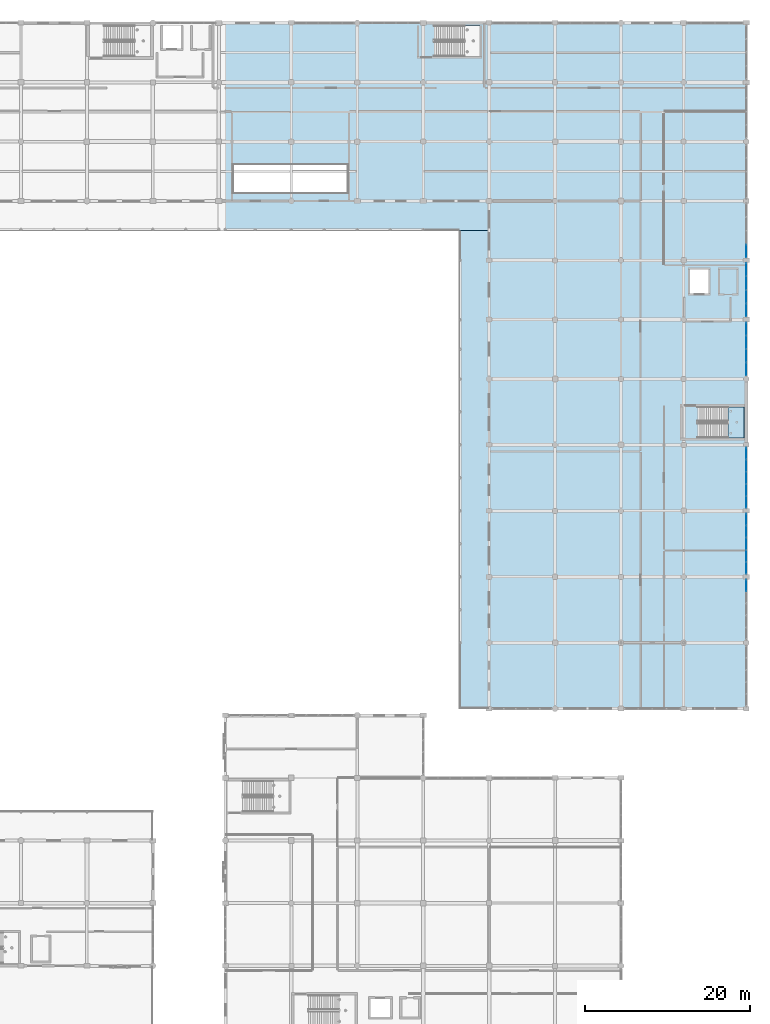
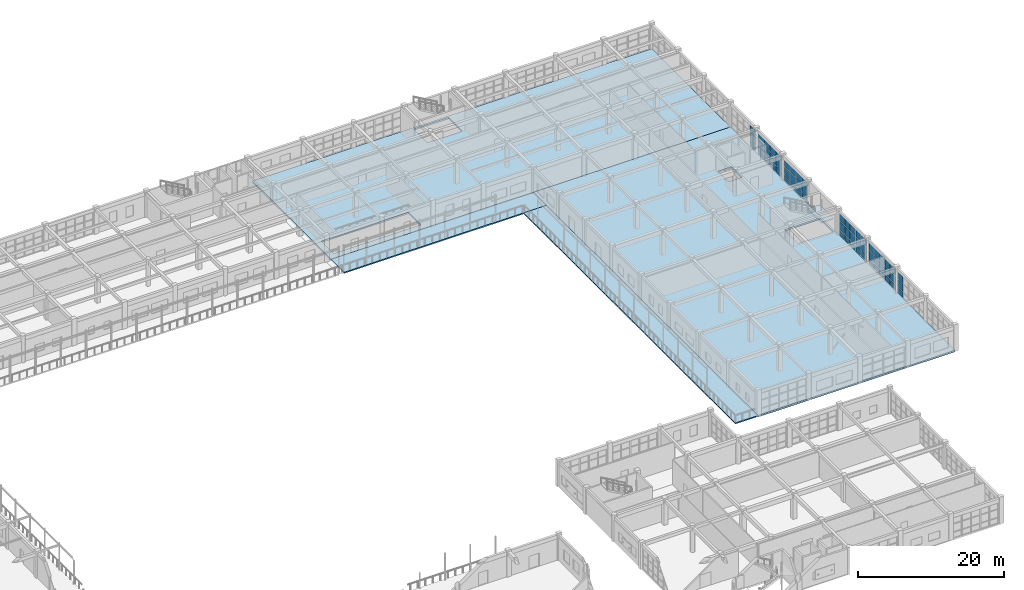
# One storey, part 119 of 160: 60 plates, 5 slabs, 7 elements without a shape of their own.
"""IFC4 building model written with IfcOpenShell, lengths in metres."""

import ifcopenshell
import ifcopenshell.guid

model = None  # the IFC model being written
_history = None  # IfcOwnerHistory: only IFC2X3 demands one
_inside = {}  # id of a spatial element -> (the spatial element, [elements in it])
_under = {}  # id of a project, library or spatial element -> (it, [spatial elements below it])
_declared = {}  # id of a project -> (the project, [libraries it declares])
_typed = {}  # id of a type object -> (the type object, [elements of that type])
_made_of = {}  # id of a material, layer set ... -> (it, [elements and type objects made of it])


def new_model(schema):
    """Start an empty IFC model of exactly this schema.

    Asked for "IFC4X3", IfcOpenShell would pick the latest addendum, in which some entities
    have other attributes; the version numbers below select the first issue.
    IFC2X3 requires an IfcOwnerHistory on every rooted entity: one is made here for all.
    """
    global model, _history
    if schema == "IFC4X3":
        model = ifcopenshell.file(schema_version=(4, 3, 0, 0))
    else:
        model = ifcopenshell.file(schema=schema)
    _inside.clear()
    _under.clear()
    _declared.clear()
    _typed.clear()
    _made_of.clear()
    _history = None
    if model.schema == "IFC2X3":
        org = make("IfcOrganization", Name="unknown")
        user = make(
            "IfcPersonAndOrganization",
            ThePerson=make("IfcPerson", FamilyName="unknown"),
            TheOrganization=org,
        )
        app = make(
            "IfcApplication",
            ApplicationDeveloper=org,
            Version="unknown",
            ApplicationFullName="unknown",
            ApplicationIdentifier="unknown",
        )
        _history = make(
            "IfcOwnerHistory",
            OwningUser=user,
            OwningApplication=app,
            ChangeAction="ADDED",
            CreationDate=0,
        )
    return model


def make(cls, **values):
    """One entity of the class cls with the attributes given. An attribute that is None is left unset."""
    return model.create_entity(
        cls, **{name: value for name, value in values.items() if value is not None}
    )


def rooted(cls, **values):
    """An entity with a GlobalId (a new one), such as an element, a storey or a relation."""
    return make(cls, GlobalId=ifcopenshell.guid.new(), OwnerHistory=_history, **values)


def si_unit(unit_type, name, prefix=None):
    """IfcSIUnit, for example si_unit("LENGTHUNIT", "METRE", prefix="MILLI")."""
    return make("IfcSIUnit", UnitType=unit_type, Prefix=prefix, Name=name)


def assignment(units):
    """IfcUnitAssignment: the units of a project."""
    return None if units is None else make("IfcUnitAssignment", Units=units)


def point(xyz):
    """IfcCartesianPoint."""
    return None if xyz is None else make("IfcCartesianPoint", Coordinates=xyz)


def direction(xyz):
    """IfcDirection."""
    return None if xyz is None else make("IfcDirection", DirectionRatios=xyz)


def frame(location, z_axis=None, x_axis=None):
    """IfcAxis2Placement3D, a coordinate frame: its origin and axes. An axis left out is left unset."""
    return make(
        "IfcAxis2Placement3D",
        Location=point(location),
        Axis=direction(z_axis),
        RefDirection=direction(x_axis),
    )


def frame_2d(location, x_axis=None):
    """IfcAxis2Placement2D, a coordinate frame in the plane: its origin and x axis."""
    return make(
        "IfcAxis2Placement2D", Location=point(location), RefDirection=direction(x_axis)
    )


def origin():
    """The frame at (0, 0, 0) with its axes left unset."""
    return frame((0.0, 0.0, 0.0))


def origin_2d():
    """The frame at (0, 0) in the plane with its x axis left unset."""
    return frame_2d((0.0, 0.0))


def place(relative_to, where):
    """IfcLocalPlacement: puts the frame where relative to a parent placement (None: the world)."""
    return make(
        "IfcLocalPlacement", PlacementRelTo=relative_to, RelativePlacement=where
    )


def context(
    kind, dimensions, precision=None, world=None, true_north=None, identifier=None
):
    """IfcGeometricRepresentationContext, for example the 3D "Model" context."""
    return make(
        "IfcGeometricRepresentationContext",
        ContextIdentifier=identifier,
        ContextType=kind,
        CoordinateSpaceDimension=dimensions,
        Precision=precision,
        WorldCoordinateSystem=world,
        TrueNorth=true_north,
    )


def subcontext(parent, identifier, kind, view, scale=None):
    """IfcGeometricRepresentationSubContext, for example "Body" below "Model"."""
    return make(
        "IfcGeometricRepresentationSubContext",
        ContextIdentifier=identifier,
        ContextType=kind,
        ParentContext=parent,
        TargetScale=scale,
        TargetView=view,
    )


def project(units=None, contexts=None):
    """IfcProject with its units and contexts."""
    return rooted(
        "IfcProject",
        Name="project",
        RepresentationContexts=contexts,
        UnitsInContext=assignment(units),
    )


def spatial(cls, under=None, at=None, **own):
    """A site, building, storey or space (cls), placed at a placement, below another one or the project."""
    s = rooted(cls, ObjectPlacement=at, **own)
    if under is not None:
        _under.setdefault(under.id(), (under, []))[1].append(s)
    return s


def polyline(points):
    """IfcPolyline through the points."""
    return make("IfcPolyline", Points=[point(p) for p in points])


def profile(cls, at=None, kind="AREA", **sizes):
    """A parametric profile (cls). Its sizes go by their IFC names, for example OverallWidth=200.0."""
    return make(cls, ProfileType=kind, Position=at, **sizes)


def rectangle(**sizes):
    """IfcRectangleProfileDef."""
    return profile("IfcRectangleProfileDef", **sizes)


def outline(outer, holes=None, kind="AREA"):
    """IfcArbitraryClosedProfileDef: a profile drawn as a closed curve; with holes, ...WithVoids."""
    if holes is None:
        return make("IfcArbitraryClosedProfileDef", ProfileType=kind, OuterCurve=outer)
    return make(
        "IfcArbitraryProfileDefWithVoids",
        ProfileType=kind,
        OuterCurve=outer,
        InnerCurves=holes,
    )


def extrude(swept, where, along, depth):
    """IfcExtrudedAreaSolid: the profile swept, set in the frame where, extruded along a direction by depth."""
    return make(
        "IfcExtrudedAreaSolid",
        SweptArea=swept,
        Position=where,
        ExtrudedDirection=direction(along),
        Depth=depth,
    )


def shape(context_of_items, identifier, shape_type, items):
    """IfcShapeRepresentation: the items that make up one representation, for example the "Body"."""
    return make(
        "IfcShapeRepresentation",
        ContextOfItems=context_of_items,
        RepresentationIdentifier=identifier,
        RepresentationType=shape_type,
        Items=items,
    )


def material(Name=None, Category=None):
    """IfcMaterial."""
    return make("IfcMaterial", Name=Name, Category=Category)


def layer(
    of_material, thickness, ventilated=None, Name=None, Category=None, Priority=None
):
    """IfcMaterialLayer: one layer of a wall or slab, of a material (None: an air gap)."""
    return make(
        "IfcMaterialLayer",
        Material=of_material,
        LayerThickness=thickness,
        IsVentilated=ventilated,
        Name=Name,
        Category=Category,
        Priority=Priority,
    )


def layer_set(layers, Name=None):
    """IfcMaterialLayerSet."""
    return make("IfcMaterialLayerSet", MaterialLayers=layers, LayerSetName=Name)


def made_of(thing, what):
    """Note that an element or type object is made of a material, layer set ...; save() writes the relation."""
    if what is not None:
        _made_of.setdefault(what.id(), (what, []))[1].append(thing)
    return thing


def type_object(cls, material=None, **own):
    """A type object (cls), such as IfcWallType, which elements share."""
    return made_of(rooted(cls, **own), material)


def element(
    cls,
    number,
    at=None,
    inside=None,
    cuts=None,
    type_object=None,
    material=None,
    context=None,
    identifier="Body",
    shape_type=None,
    held_by="IfcProductDefinitionShape",
    body=None,
    shapes=None,
    **own,
):
    """One element of the class cls, such as IfcWall. Its Tag is "e" and its number.

    at: its placement. inside: the storey or other place that contains it. cuts: it is an
    opening in that element (IfcRelVoidsElement). A single representation is given by context,
    identifier, shape_type and body (its items); several are given by shapes. held_by: the class
    of the entity that holds the representations. save() writes the other relations.
    """
    e = rooted(cls, Tag="e%d" % number, ObjectPlacement=at, **own)
    if body is not None:
        shapes = [shape(context, identifier, shape_type, body)]
    if shapes is not None:
        e.Representation = make(held_by, Representations=shapes)
    if inside is not None:
        _inside.setdefault(inside.id(), (inside, []))[1].append(e)
    if cuts is not None:
        rooted(
            "IfcRelVoidsElement", RelatingBuildingElement=cuts, RelatedOpeningElement=e
        )
    if type_object is not None:
        _typed.setdefault(type_object.id(), (type_object, []))[1].append(e)
    return made_of(e, material)


def aggregate(whole, parts):
    """IfcRelAggregates: a whole, such as a stair, and the parts it consists of."""
    return rooted("IfcRelAggregates", RelatingObject=whole, RelatedObjects=parts)


def save(model, path):
    """Write the relations noted so far, then the file.

    IfcRelAggregates (storeys below a building ...), IfcRelContainedInSpatialStructure (elements
    in a storey), IfcRelDefinesByType, IfcRelAssociatesMaterial and IfcRelDeclares: one each for
    every whole, place, type object, material and project.
    """
    for whole, parts in _under.values():
        aggregate(whole, parts)
    for where, things in _inside.values():
        rooted(
            "IfcRelContainedInSpatialStructure",
            RelatedElements=things,
            RelatingStructure=where,
        )
    for kind, things in _typed.values():
        rooted("IfcRelDefinesByType", RelatedObjects=things, RelatingType=kind)
    for what, things in _made_of.values():
        rooted("IfcRelAssociatesMaterial", RelatedObjects=things, RelatingMaterial=what)
    for by, libraries in _declared.values():
        rooted("IfcRelDeclares", RelatingContext=by, RelatedDefinitions=libraries)
    model.write(path)


model = new_model("IFC4")

# Units and contexts
model_context = context("Model", 3, precision=1e-05, world=origin(), true_north=direction((0.0, 1.0)))
body_context = subcontext(model_context, "Body", "Model", "MODEL_VIEW")
ifc_project = project(units=[si_unit("LENGTHUNIT", "METRE"), si_unit("AREAUNIT", "SQUARE_METRE"), si_unit("VOLUMEUNIT", "CUBIC_METRE"), si_unit("PLANEANGLEUNIT", "RADIAN"), si_unit("MASSUNIT", "GRAM", prefix="KILO")], contexts=[model_context])

# Site, building, storey
site_placement = place(None, origin())
site = spatial("IfcSite", under=ifc_project, at=site_placement, CompositionType="ELEMENT")
building_placement = place(site_placement, origin())
building = spatial("IfcBuilding", under=site, at=building_placement, Name="Kharva Crest Polytechnic", CompositionType="ELEMENT")
storey_placement = place(building_placement, frame((0.0, 0.0, 4.5)))
storey = spatial("IfcBuildingStorey", under=building, at=storey_placement, Name="L01", CompositionType="ELEMENT", Elevation=4.5)

# Curtain wall, plates
ifc_material_1 = material(Name="Tempered insulated glass", Category="glass")
curtain_wall_type = type_object("IfcCurtainWallType", Name="CW-SYS-COURT", PredefinedType="USERDEFINED", material=ifc_material_1)
curtain_wall_1_placement = place(storey_placement, origin())
curtain_wall_1 = element("IfcCurtainWall", 1, at=curtain_wall_1_placement, inside=storey, type_object=curtain_wall_type, Name="L01 Glazed Curtain Wall CW-059", ObjectType="CURTAIN WALL", PredefinedType="USERDEFINED")
ifc_layer_1 = layer(ifc_material_1, 0.02392578125, Name="Tempered insulated glass")
ifc_layer_set_1 = layer_set([ifc_layer_1], Name="Tempered insulated glass")
plate_type = type_object("IfcPlateType", Name="CWP-GLZ-24", PredefinedType="CURTAIN_PANEL", material=ifc_layer_set_1)
plate_1_placement = place(storey_placement, frame((184.0, 53.741943359375, 0.119873046875), z_axis=(0.0, 0.0, 1.0), x_axis=(0.0, 1.0, 0.0)))
plate_1 = element("IfcPlate", 2, at=plate_1_placement, type_object=plate_type, Name="CW-059 panel 5.1", PredefinedType="CURTAIN_PANEL", context=body_context, shape_type="SweptSolid", body=[
    extrude(rectangle(XDim=1.345947265625, YDim=0.02392578125, at=origin_2d()), origin(), (0.0, 0.0, 1.0), 0.8701171875),
])
plate_2_placement = place(storey_placement, frame((184.0, 53.741943359375, 1.10986328125), z_axis=(0.0, 0.0, 1.0), x_axis=(0.0, 1.0, 0.0)))
plate_2 = element("IfcPlate", 3, at=plate_2_placement, type_object=plate_type, Name="CW-059 panel 5.2", PredefinedType="CURTAIN_PANEL", context=body_context, shape_type="SweptSolid", body=[
    extrude(rectangle(XDim=1.345947265625, YDim=0.02392578125, at=origin_2d()), origin(), (0.0, 0.0, 1.0), 1.280029296875),
])
plate_3_placement = place(storey_placement, frame((184.0, 53.741943359375, 2.509765625), z_axis=(0.0, 0.0, 1.0), x_axis=(0.0, 1.0, 0.0)))
plate_3 = element("IfcPlate", 4, at=plate_3_placement, type_object=plate_type, Name="CW-059 panel 5.3", PredefinedType="CURTAIN_PANEL", context=body_context, shape_type="SweptSolid", body=[
    extrude(rectangle(XDim=1.345947265625, YDim=0.02392578125, at=origin_2d()), origin(), (0.0, 0.0, 1.0), 1.070068359375),
])
aggregate(curtain_wall_1, [plate_1, plate_2, plate_3])

curtain_wall_2_placement = place(storey_placement, origin())
curtain_wall_2 = element("IfcCurtainWall", 5, at=curtain_wall_2_placement, inside=storey, type_object=curtain_wall_type, Name="L01 Glazed Curtain Wall CW-060", ObjectType="CURTAIN WALL", PredefinedType="USERDEFINED")
plate_4_placement = place(storey_placement, frame((184.0, 55.866455078125, 0.119873046875), z_axis=(0.0, 0.0, 1.0), x_axis=(0.0, 1.0, 0.0)))
plate_4 = element("IfcPlate", 6, at=plate_4_placement, type_object=plate_type, Name="CW-060 panel 1.1", PredefinedType="CURTAIN_PANEL", context=body_context, shape_type="SweptSolid", body=[
    extrude(rectangle(XDim=1.363037109375, YDim=0.02392578125, at=origin_2d()), origin(), (0.0, 0.0, 1.0), 0.8701171875),
])
plate_5_placement = place(storey_placement, frame((184.0, 55.866455078125, 1.10986328125), z_axis=(0.0, 0.0, 1.0), x_axis=(0.0, 1.0, 0.0)))
plate_5 = element("IfcPlate", 7, at=plate_5_placement, type_object=plate_type, Name="CW-060 panel 1.2", PredefinedType="CURTAIN_PANEL", context=body_context, shape_type="SweptSolid", body=[
    extrude(rectangle(XDim=1.363037109375, YDim=0.02392578125, at=origin_2d()), origin(), (0.0, 0.0, 1.0), 1.280029296875),
])
plate_6_placement = place(storey_placement, frame((184.0, 55.866455078125, 2.510009765625), z_axis=(0.0, 0.0, 1.0), x_axis=(0.0, 1.0, 0.0)))
plate_6 = element("IfcPlate", 8, at=plate_6_placement, type_object=plate_type, Name="CW-060 panel 1.3", PredefinedType="CURTAIN_PANEL", context=body_context, shape_type="SweptSolid", body=[
    extrude(rectangle(XDim=1.363037109375, YDim=0.02392578125, at=origin_2d()), origin(), (0.0, 0.0, 1.0), 1.1298828125),
])
plate_7_placement = place(storey_placement, frame((184.0, 57.32958984375, 0.119873046875), z_axis=(0.0, 0.0, 1.0), x_axis=(0.0, 1.0, 0.0)))
plate_7 = element("IfcPlate", 9, at=plate_7_placement, type_object=plate_type, Name="CW-060 panel 2.1", PredefinedType="CURTAIN_PANEL", context=body_context, shape_type="SweptSolid", body=[
    extrude(rectangle(XDim=1.403076171875, YDim=0.02392578125, at=origin_2d()), origin(), (0.0, 0.0, 1.0), 0.8701171875),
])
plate_8_placement = place(storey_placement, frame((184.0, 57.32958984375, 1.10986328125), z_axis=(0.0, 0.0, 1.0), x_axis=(0.0, 1.0, 0.0)))
plate_8 = element("IfcPlate", 10, at=plate_8_placement, type_object=plate_type, Name="CW-060 panel 2.2", PredefinedType="CURTAIN_PANEL", context=body_context, shape_type="SweptSolid", body=[
    extrude(rectangle(XDim=1.403076171875, YDim=0.02392578125, at=origin_2d()), origin(), (0.0, 0.0, 1.0), 1.280029296875),
])
plate_9_placement = place(storey_placement, frame((184.0, 57.32958984375, 2.510009765625), z_axis=(0.0, 0.0, 1.0), x_axis=(0.0, 1.0, 0.0)))
plate_9 = element("IfcPlate", 11, at=plate_9_placement, type_object=plate_type, Name="CW-060 panel 2.3", PredefinedType="CURTAIN_PANEL", context=body_context, shape_type="SweptSolid", body=[
    extrude(rectangle(XDim=1.403076171875, YDim=0.02392578125, at=origin_2d()), origin(), (0.0, 0.0, 1.0), 1.1298828125),
])
plate_10_placement = place(storey_placement, frame((184.0, 58.8125, 0.119873046875), z_axis=(0.0, 0.0, 1.0), x_axis=(0.0, 1.0, 0.0)))
plate_10 = element("IfcPlate", 12, at=plate_10_placement, type_object=plate_type, Name="CW-060 panel 3.1", PredefinedType="CURTAIN_PANEL", context=body_context, shape_type="SweptSolid", body=[
    extrude(rectangle(XDim=1.403076171875, YDim=0.02392578125, at=origin_2d()), origin(), (0.0, 0.0, 1.0), 0.8701171875),
])
plate_11_placement = place(storey_placement, frame((184.0, 58.8125, 1.10986328125), z_axis=(0.0, 0.0, 1.0), x_axis=(0.0, 1.0, 0.0)))
plate_11 = element("IfcPlate", 13, at=plate_11_placement, type_object=plate_type, Name="CW-060 panel 3.2", PredefinedType="CURTAIN_PANEL", context=body_context, shape_type="SweptSolid", body=[
    extrude(rectangle(XDim=1.403076171875, YDim=0.02392578125, at=origin_2d()), origin(), (0.0, 0.0, 1.0), 1.280029296875),
])
plate_12_placement = place(storey_placement, frame((184.0, 58.8125, 2.510009765625), z_axis=(0.0, 0.0, 1.0), x_axis=(0.0, 1.0, 0.0)))
plate_12 = element("IfcPlate", 14, at=plate_12_placement, type_object=plate_type, Name="CW-060 panel 3.3", PredefinedType="CURTAIN_PANEL", context=body_context, shape_type="SweptSolid", body=[
    extrude(rectangle(XDim=1.403076171875, YDim=0.02392578125, at=origin_2d()), origin(), (0.0, 0.0, 1.0), 1.1298828125),
])
plate_13_placement = place(storey_placement, frame((184.0, 60.29541015625, 0.119873046875), z_axis=(0.0, 0.0, 1.0), x_axis=(0.0, 1.0, 0.0)))
plate_13 = element("IfcPlate", 15, at=plate_13_placement, type_object=plate_type, Name="CW-060 panel 4.1", PredefinedType="CURTAIN_PANEL", context=body_context, shape_type="SweptSolid", body=[
    extrude(rectangle(XDim=1.403076171875, YDim=0.02392578125, at=origin_2d()), origin(), (0.0, 0.0, 1.0), 0.8701171875),
])
plate_14_placement = place(storey_placement, frame((184.0, 60.29541015625, 1.10986328125), z_axis=(0.0, 0.0, 1.0), x_axis=(0.0, 1.0, 0.0)))
plate_14 = element("IfcPlate", 16, at=plate_14_placement, type_object=plate_type, Name="CW-060 panel 4.2", PredefinedType="CURTAIN_PANEL", context=body_context, shape_type="SweptSolid", body=[
    extrude(rectangle(XDim=1.403076171875, YDim=0.02392578125, at=origin_2d()), origin(), (0.0, 0.0, 1.0), 1.280029296875),
])
plate_15_placement = place(storey_placement, frame((184.0, 60.29541015625, 2.510009765625), z_axis=(0.0, 0.0, 1.0), x_axis=(0.0, 1.0, 0.0)))
plate_15 = element("IfcPlate", 17, at=plate_15_placement, type_object=plate_type, Name="CW-060 panel 4.3", PredefinedType="CURTAIN_PANEL", context=body_context, shape_type="SweptSolid", body=[
    extrude(rectangle(XDim=1.403076171875, YDim=0.02392578125, at=origin_2d()), origin(), (0.0, 0.0, 1.0), 1.1298828125),
])
plate_16_placement = place(storey_placement, frame((184.0, 61.758544921875, 0.119873046875), z_axis=(0.0, 0.0, 1.0), x_axis=(0.0, 1.0, 0.0)))
plate_16 = element("IfcPlate", 18, at=plate_16_placement, type_object=plate_type, Name="CW-060 panel 5.1", PredefinedType="CURTAIN_PANEL", context=body_context, shape_type="SweptSolid", body=[
    extrude(rectangle(XDim=1.363037109375, YDim=0.02392578125, at=origin_2d()), origin(), (0.0, 0.0, 1.0), 0.8701171875),
])
plate_17_placement = place(storey_placement, frame((184.0, 61.758544921875, 1.10986328125), z_axis=(0.0, 0.0, 1.0), x_axis=(0.0, 1.0, 0.0)))
plate_17 = element("IfcPlate", 19, at=plate_17_placement, type_object=plate_type, Name="CW-060 panel 5.2", PredefinedType="CURTAIN_PANEL", context=body_context, shape_type="SweptSolid", body=[
    extrude(rectangle(XDim=1.363037109375, YDim=0.02392578125, at=origin_2d()), origin(), (0.0, 0.0, 1.0), 1.280029296875),
])
plate_18_placement = place(storey_placement, frame((184.0, 61.758544921875, 2.510009765625), z_axis=(0.0, 0.0, 1.0), x_axis=(0.0, 1.0, 0.0)))
plate_18 = element("IfcPlate", 20, at=plate_18_placement, type_object=plate_type, Name="CW-060 panel 5.3", PredefinedType="CURTAIN_PANEL", context=body_context, shape_type="SweptSolid", body=[
    extrude(rectangle(XDim=1.363037109375, YDim=0.02392578125, at=origin_2d()), origin(), (0.0, 0.0, 1.0), 1.1298828125),
])
aggregate(curtain_wall_2, [plate_4, plate_5, plate_6, plate_7, plate_8, plate_9, plate_10, plate_11, plate_12, plate_13, plate_14, plate_15, plate_16, plate_17, plate_18])

curtain_wall_3_placement = place(storey_placement, origin())
curtain_wall_3 = element("IfcCurtainWall", 21, at=curtain_wall_3_placement, inside=storey, type_object=curtain_wall_type, Name="L01 Glazed Curtain Wall CW-061", ObjectType="CURTAIN WALL", PredefinedType="USERDEFINED")
plate_19_placement = place(storey_placement, frame((184.0, 63.843994140625, 0.119873046875), z_axis=(0.0, 0.0, 1.0), x_axis=(0.0, 1.0, 0.0)))
plate_19 = element("IfcPlate", 22, at=plate_19_placement, type_object=plate_type, Name="CW-061 panel 1.1", PredefinedType="CURTAIN_PANEL", context=body_context, shape_type="SweptSolid", body=[
    extrude(rectangle(XDim=1.367919921875, YDim=0.02392578125, at=origin_2d()), origin(), (0.0, 0.0, 1.0), 0.8701171875),
])
plate_20_placement = place(storey_placement, frame((184.0, 63.843994140625, 1.10986328125), z_axis=(0.0, 0.0, 1.0), x_axis=(0.0, 1.0, 0.0)))
plate_20 = element("IfcPlate", 23, at=plate_20_placement, type_object=plate_type, Name="CW-061 panel 1.2", PredefinedType="CURTAIN_PANEL", context=body_context, shape_type="SweptSolid", body=[
    extrude(rectangle(XDim=1.367919921875, YDim=0.02392578125, at=origin_2d()), origin(), (0.0, 0.0, 1.0), 1.280029296875),
])
plate_21_placement = place(storey_placement, frame((184.0, 63.843994140625, 2.510009765625), z_axis=(0.0, 0.0, 1.0), x_axis=(0.0, 1.0, 0.0)))
plate_21 = element("IfcPlate", 24, at=plate_21_placement, type_object=plate_type, Name="CW-061 panel 1.3", PredefinedType="CURTAIN_PANEL", context=body_context, shape_type="SweptSolid", body=[
    extrude(rectangle(XDim=1.367919921875, YDim=0.02392578125, at=origin_2d()), origin(), (0.0, 0.0, 1.0), 1.14990234375),
])
plate_22_placement = place(storey_placement, frame((184.0, 65.31201171875, 0.119873046875), z_axis=(0.0, 0.0, 1.0), x_axis=(0.0, 1.0, 0.0)))
plate_22 = element("IfcPlate", 25, at=plate_22_placement, type_object=plate_type, Name="CW-061 panel 2.1", PredefinedType="CURTAIN_PANEL", context=body_context, shape_type="SweptSolid", body=[
    extrude(rectangle(XDim=1.407958984375, YDim=0.02392578125, at=origin_2d()), origin(), (0.0, 0.0, 1.0), 0.8701171875),
])
plate_23_placement = place(storey_placement, frame((184.0, 65.31201171875, 1.10986328125), z_axis=(0.0, 0.0, 1.0), x_axis=(0.0, 1.0, 0.0)))
plate_23 = element("IfcPlate", 26, at=plate_23_placement, type_object=plate_type, Name="CW-061 panel 2.2", PredefinedType="CURTAIN_PANEL", context=body_context, shape_type="SweptSolid", body=[
    extrude(rectangle(XDim=1.407958984375, YDim=0.02392578125, at=origin_2d()), origin(), (0.0, 0.0, 1.0), 1.280029296875),
])
plate_24_placement = place(storey_placement, frame((184.0, 65.31201171875, 2.510009765625), z_axis=(0.0, 0.0, 1.0), x_axis=(0.0, 1.0, 0.0)))
plate_24 = element("IfcPlate", 27, at=plate_24_placement, type_object=plate_type, Name="CW-061 panel 2.3", PredefinedType="CURTAIN_PANEL", context=body_context, shape_type="SweptSolid", body=[
    extrude(rectangle(XDim=1.407958984375, YDim=0.02392578125, at=origin_2d()), origin(), (0.0, 0.0, 1.0), 1.14990234375),
])
plate_25_placement = place(storey_placement, frame((184.0, 66.800048828125, 0.119873046875), z_axis=(0.0, 0.0, 1.0), x_axis=(0.0, 1.0, 0.0)))
plate_25 = element("IfcPlate", 28, at=plate_25_placement, type_object=plate_type, Name="CW-061 panel 3.1", PredefinedType="CURTAIN_PANEL", context=body_context, shape_type="SweptSolid", body=[
    extrude(rectangle(XDim=1.407958984375, YDim=0.02392578125, at=origin_2d()), origin(), (0.0, 0.0, 1.0), 0.8701171875),
])
plate_26_placement = place(storey_placement, frame((184.0, 66.800048828125, 1.10986328125), z_axis=(0.0, 0.0, 1.0), x_axis=(0.0, 1.0, 0.0)))
plate_26 = element("IfcPlate", 29, at=plate_26_placement, type_object=plate_type, Name="CW-061 panel 3.2", PredefinedType="CURTAIN_PANEL", context=body_context, shape_type="SweptSolid", body=[
    extrude(rectangle(XDim=1.407958984375, YDim=0.02392578125, at=origin_2d()), origin(), (0.0, 0.0, 1.0), 1.280029296875),
])
plate_27_placement = place(storey_placement, frame((184.0, 66.800048828125, 2.510009765625), z_axis=(0.0, 0.0, 1.0), x_axis=(0.0, 1.0, 0.0)))
plate_27 = element("IfcPlate", 30, at=plate_27_placement, type_object=plate_type, Name="CW-061 panel 3.3", PredefinedType="CURTAIN_PANEL", context=body_context, shape_type="SweptSolid", body=[
    extrude(rectangle(XDim=1.407958984375, YDim=0.02392578125, at=origin_2d()), origin(), (0.0, 0.0, 1.0), 1.14990234375),
])
plate_28_placement = place(storey_placement, frame((184.0, 68.2880859375, 0.119873046875), z_axis=(0.0, 0.0, 1.0), x_axis=(0.0, 1.0, 0.0)))
plate_28 = element("IfcPlate", 31, at=plate_28_placement, type_object=plate_type, Name="CW-061 panel 4.1", PredefinedType="CURTAIN_PANEL", context=body_context, shape_type="SweptSolid", body=[
    extrude(rectangle(XDim=1.407958984375, YDim=0.02392578125, at=origin_2d()), origin(), (0.0, 0.0, 1.0), 0.8701171875),
])
plate_29_placement = place(storey_placement, frame((184.0, 68.2880859375, 1.10986328125), z_axis=(0.0, 0.0, 1.0), x_axis=(0.0, 1.0, 0.0)))
plate_29 = element("IfcPlate", 32, at=plate_29_placement, type_object=plate_type, Name="CW-061 panel 4.2", PredefinedType="CURTAIN_PANEL", context=body_context, shape_type="SweptSolid", body=[
    extrude(rectangle(XDim=1.407958984375, YDim=0.02392578125, at=origin_2d()), origin(), (0.0, 0.0, 1.0), 1.280029296875),
])
plate_30_placement = place(storey_placement, frame((184.0, 68.2880859375, 2.510009765625), z_axis=(0.0, 0.0, 1.0), x_axis=(0.0, 1.0, 0.0)))
plate_30 = element("IfcPlate", 33, at=plate_30_placement, type_object=plate_type, Name="CW-061 panel 4.3", PredefinedType="CURTAIN_PANEL", context=body_context, shape_type="SweptSolid", body=[
    extrude(rectangle(XDim=1.407958984375, YDim=0.02392578125, at=origin_2d()), origin(), (0.0, 0.0, 1.0), 1.14990234375),
])
plate_31_placement = place(storey_placement, frame((184.0, 69.756103515625, 0.119873046875), z_axis=(0.0, 0.0, 1.0), x_axis=(0.0, 1.0, 0.0)))
plate_31 = element("IfcPlate", 34, at=plate_31_placement, type_object=plate_type, Name="CW-061 panel 5.1", PredefinedType="CURTAIN_PANEL", context=body_context, shape_type="SweptSolid", body=[
    extrude(rectangle(XDim=1.367919921875, YDim=0.02392578125, at=origin_2d()), origin(), (0.0, 0.0, 1.0), 0.8701171875),
])
plate_32_placement = place(storey_placement, frame((184.0, 69.756103515625, 1.10986328125), z_axis=(0.0, 0.0, 1.0), x_axis=(0.0, 1.0, 0.0)))
plate_32 = element("IfcPlate", 35, at=plate_32_placement, type_object=plate_type, Name="CW-061 panel 5.2", PredefinedType="CURTAIN_PANEL", context=body_context, shape_type="SweptSolid", body=[
    extrude(rectangle(XDim=1.367919921875, YDim=0.02392578125, at=origin_2d()), origin(), (0.0, 0.0, 1.0), 1.280029296875),
])
plate_33_placement = place(storey_placement, frame((184.0, 69.756103515625, 2.510009765625), z_axis=(0.0, 0.0, 1.0), x_axis=(0.0, 1.0, 0.0)))
plate_33 = element("IfcPlate", 36, at=plate_33_placement, type_object=plate_type, Name="CW-061 panel 5.3", PredefinedType="CURTAIN_PANEL", context=body_context, shape_type="SweptSolid", body=[
    extrude(rectangle(XDim=1.367919921875, YDim=0.02392578125, at=origin_2d()), origin(), (0.0, 0.0, 1.0), 1.14990234375),
])
aggregate(curtain_wall_3, [plate_19, plate_20, plate_21, plate_22, plate_23, plate_24, plate_25, plate_26, plate_27, plate_28, plate_29, plate_30, plate_31, plate_32, plate_33])

curtain_wall_4_placement = place(storey_placement, origin())
curtain_wall_4 = element("IfcCurtainWall", 37, at=curtain_wall_4_placement, inside=storey, type_object=curtain_wall_type, Name="L01 Glazed Curtain Wall CW-062", ObjectType="CURTAIN WALL", PredefinedType="USERDEFINED")
plate_34_placement = place(storey_placement, frame((184.0, 80.001220703125, 0.119873046875), z_axis=(0.0, 0.0, 1.0), x_axis=(0.0, 1.0, 0.0)))
plate_34 = element("IfcPlate", 38, at=plate_34_placement, type_object=plate_type, Name="CW-062 panel 1.1", PredefinedType="CURTAIN_PANEL", context=body_context, shape_type="SweptSolid", body=[
    extrude(rectangle(XDim=1.512451171875, YDim=0.02392578125, at=origin_2d()), origin(), (0.0, 0.0, 1.0), 0.8701171875),
])
plate_35_placement = place(storey_placement, frame((184.0, 80.001220703125, 1.10986328125), z_axis=(0.0, 0.0, 1.0), x_axis=(0.0, 1.0, 0.0)))
plate_35 = element("IfcPlate", 39, at=plate_35_placement, type_object=plate_type, Name="CW-062 panel 1.2", PredefinedType="CURTAIN_PANEL", context=body_context, shape_type="SweptSolid", body=[
    extrude(rectangle(XDim=1.512451171875, YDim=0.02392578125, at=origin_2d()), origin(), (0.0, 0.0, 1.0), 1.280029296875),
])
plate_36_placement = place(storey_placement, frame((184.0, 80.001220703125, 2.51025390625), z_axis=(0.0, 0.0, 1.0), x_axis=(0.0, 1.0, 0.0)))
plate_36 = element("IfcPlate", 40, at=plate_36_placement, type_object=plate_type, Name="CW-062 panel 1.3", PredefinedType="CURTAIN_PANEL", context=body_context, shape_type="SweptSolid", body=[
    extrude(rectangle(XDim=1.512451171875, YDim=0.02392578125, at=origin_2d()), origin(), (0.0, 0.0, 1.0), 0.969970703125),
])
plate_37_placement = place(storey_placement, frame((184.0, 81.61376953125, 0.119873046875), z_axis=(0.0, 0.0, 1.0), x_axis=(0.0, 1.0, 0.0)))
plate_37 = element("IfcPlate", 41, at=plate_37_placement, type_object=plate_type, Name="CW-062 panel 2.1", PredefinedType="CURTAIN_PANEL", context=body_context, shape_type="SweptSolid", body=[
    extrude(rectangle(XDim=1.552490234375, YDim=0.02392578125, at=origin_2d()), origin(), (0.0, 0.0, 1.0), 0.8701171875),
])
plate_38_placement = place(storey_placement, frame((184.0, 81.61376953125, 1.10986328125), z_axis=(0.0, 0.0, 1.0), x_axis=(0.0, 1.0, 0.0)))
plate_38 = element("IfcPlate", 42, at=plate_38_placement, type_object=plate_type, Name="CW-062 panel 2.2", PredefinedType="CURTAIN_PANEL", context=body_context, shape_type="SweptSolid", body=[
    extrude(rectangle(XDim=1.552490234375, YDim=0.02392578125, at=origin_2d()), origin(), (0.0, 0.0, 1.0), 1.280029296875),
])
plate_39_placement = place(storey_placement, frame((184.0, 81.61376953125, 2.51025390625), z_axis=(0.0, 0.0, 1.0), x_axis=(0.0, 1.0, 0.0)))
plate_39 = element("IfcPlate", 43, at=plate_39_placement, type_object=plate_type, Name="CW-062 panel 2.3", PredefinedType="CURTAIN_PANEL", context=body_context, shape_type="SweptSolid", body=[
    extrude(rectangle(XDim=1.552490234375, YDim=0.02392578125, at=origin_2d()), origin(), (0.0, 0.0, 1.0), 0.969970703125),
])
plate_40_placement = place(storey_placement, frame((184.0, 83.246337890625, 0.119873046875), z_axis=(0.0, 0.0, 1.0), x_axis=(0.0, 1.0, 0.0)))
plate_40 = element("IfcPlate", 44, at=plate_40_placement, type_object=plate_type, Name="CW-062 panel 3.1", PredefinedType="CURTAIN_PANEL", context=body_context, shape_type="SweptSolid", body=[
    extrude(rectangle(XDim=1.552490234375, YDim=0.02392578125, at=origin_2d()), origin(), (0.0, 0.0, 1.0), 0.8701171875),
])
plate_41_placement = place(storey_placement, frame((184.0, 83.246337890625, 1.10986328125), z_axis=(0.0, 0.0, 1.0), x_axis=(0.0, 1.0, 0.0)))
plate_41 = element("IfcPlate", 45, at=plate_41_placement, type_object=plate_type, Name="CW-062 panel 3.2", PredefinedType="CURTAIN_PANEL", context=body_context, shape_type="SweptSolid", body=[
    extrude(rectangle(XDim=1.552490234375, YDim=0.02392578125, at=origin_2d()), origin(), (0.0, 0.0, 1.0), 1.280029296875),
])
plate_42_placement = place(storey_placement, frame((184.0, 83.246337890625, 2.51025390625), z_axis=(0.0, 0.0, 1.0), x_axis=(0.0, 1.0, 0.0)))
plate_42 = element("IfcPlate", 46, at=plate_42_placement, type_object=plate_type, Name="CW-062 panel 3.3", PredefinedType="CURTAIN_PANEL", context=body_context, shape_type="SweptSolid", body=[
    extrude(rectangle(XDim=1.552490234375, YDim=0.02392578125, at=origin_2d()), origin(), (0.0, 0.0, 1.0), 0.969970703125),
])
plate_43_placement = place(storey_placement, frame((184.0, 84.858642578125, 0.119873046875), z_axis=(0.0, 0.0, 1.0), x_axis=(0.0, 1.0, 0.0)))
plate_43 = element("IfcPlate", 47, at=plate_43_placement, type_object=plate_type, Name="CW-062 panel 4.1", PredefinedType="CURTAIN_PANEL", context=body_context, shape_type="SweptSolid", body=[
    extrude(rectangle(XDim=1.512451171875, YDim=0.02392578125, at=origin_2d()), origin(), (0.0, 0.0, 1.0), 0.8701171875),
])
plate_44_placement = place(storey_placement, frame((184.0, 84.858642578125, 1.10986328125), z_axis=(0.0, 0.0, 1.0), x_axis=(0.0, 1.0, 0.0)))
plate_44 = element("IfcPlate", 48, at=plate_44_placement, type_object=plate_type, Name="CW-062 panel 4.2", PredefinedType="CURTAIN_PANEL", context=body_context, shape_type="SweptSolid", body=[
    extrude(rectangle(XDim=1.512451171875, YDim=0.02392578125, at=origin_2d()), origin(), (0.0, 0.0, 1.0), 1.280029296875),
])
plate_45_placement = place(storey_placement, frame((184.0, 84.858642578125, 2.51025390625), z_axis=(0.0, 0.0, 1.0), x_axis=(0.0, 1.0, 0.0)))
plate_45 = element("IfcPlate", 49, at=plate_45_placement, type_object=plate_type, Name="CW-062 panel 4.3", PredefinedType="CURTAIN_PANEL", context=body_context, shape_type="SweptSolid", body=[
    extrude(rectangle(XDim=1.512451171875, YDim=0.02392578125, at=origin_2d()), origin(), (0.0, 0.0, 1.0), 0.969970703125),
])
aggregate(curtain_wall_4, [plate_34, plate_35, plate_36, plate_37, plate_38, plate_39, plate_40, plate_41, plate_42, plate_43, plate_44, plate_45])

curtain_wall_5_placement = place(storey_placement, origin())
curtain_wall_5 = element("IfcCurtainWall", 50, at=curtain_wall_5_placement, inside=storey, type_object=curtain_wall_type, Name="L01 Glazed Curtain Wall CW-063", ObjectType="CURTAIN WALL", PredefinedType="USERDEFINED")
plate_46_placement = place(storey_placement, frame((184.0, 87.15185546875, 0.119873046875), z_axis=(0.0, 0.0, 1.0), x_axis=(0.0, 1.0, 0.0)))
plate_46 = element("IfcPlate", 51, at=plate_46_placement, type_object=plate_type, Name="CW-063 panel 1.1", PredefinedType="CURTAIN_PANEL", context=body_context, shape_type="SweptSolid", body=[
    extrude(rectangle(XDim=1.53369140625, YDim=0.02392578125, at=origin_2d()), origin(), (0.0, 0.0, 1.0), 0.8701171875),
])
plate_47_placement = place(storey_placement, frame((184.0, 87.15185546875, 1.10986328125), z_axis=(0.0, 0.0, 1.0), x_axis=(0.0, 1.0, 0.0)))
plate_47 = element("IfcPlate", 52, at=plate_47_placement, type_object=plate_type, Name="CW-063 panel 1.2", PredefinedType="CURTAIN_PANEL", context=body_context, shape_type="SweptSolid", body=[
    extrude(rectangle(XDim=1.53369140625, YDim=0.02392578125, at=origin_2d()), origin(), (0.0, 0.0, 1.0), 1.280029296875),
])
plate_48_placement = place(storey_placement, frame((184.0, 87.15185546875, 2.509765625), z_axis=(0.0, 0.0, 1.0), x_axis=(0.0, 1.0, 0.0)))
plate_48 = element("IfcPlate", 53, at=plate_48_placement, type_object=plate_type, Name="CW-063 panel 1.3", PredefinedType="CURTAIN_PANEL", context=body_context, shape_type="SweptSolid", body=[
    extrude(rectangle(XDim=1.53369140625, YDim=0.02392578125, at=origin_2d()), origin(), (0.0, 0.0, 1.0), 1.010009765625),
])
plate_49_placement = place(storey_placement, frame((184.0, 88.78564453125, 0.119873046875), z_axis=(0.0, 0.0, 1.0), x_axis=(0.0, 1.0, 0.0)))
plate_49 = element("IfcPlate", 54, at=plate_49_placement, type_object=plate_type, Name="CW-063 panel 2.1", PredefinedType="CURTAIN_PANEL", context=body_context, shape_type="SweptSolid", body=[
    extrude(rectangle(XDim=1.57373046875, YDim=0.02392578125, at=origin_2d()), origin(), (0.0, 0.0, 1.0), 0.8701171875),
])
plate_50_placement = place(storey_placement, frame((184.0, 88.78564453125, 1.10986328125), z_axis=(0.0, 0.0, 1.0), x_axis=(0.0, 1.0, 0.0)))
plate_50 = element("IfcPlate", 55, at=plate_50_placement, type_object=plate_type, Name="CW-063 panel 2.2", PredefinedType="CURTAIN_PANEL", context=body_context, shape_type="SweptSolid", body=[
    extrude(rectangle(XDim=1.57373046875, YDim=0.02392578125, at=origin_2d()), origin(), (0.0, 0.0, 1.0), 1.280029296875),
])
plate_51_placement = place(storey_placement, frame((184.0, 88.78564453125, 2.509765625), z_axis=(0.0, 0.0, 1.0), x_axis=(0.0, 1.0, 0.0)))
plate_51 = element("IfcPlate", 56, at=plate_51_placement, type_object=plate_type, Name="CW-063 panel 2.3", PredefinedType="CURTAIN_PANEL", context=body_context, shape_type="SweptSolid", body=[
    extrude(rectangle(XDim=1.57373046875, YDim=0.02392578125, at=origin_2d()), origin(), (0.0, 0.0, 1.0), 1.010009765625),
])
plate_52_placement = place(storey_placement, frame((184.0, 90.439453125, 0.119873046875), z_axis=(0.0, 0.0, 1.0), x_axis=(0.0, 1.0, 0.0)))
plate_52 = element("IfcPlate", 57, at=plate_52_placement, type_object=plate_type, Name="CW-063 panel 3.1", PredefinedType="CURTAIN_PANEL", context=body_context, shape_type="SweptSolid", body=[
    extrude(rectangle(XDim=1.57373046875, YDim=0.02392578125, at=origin_2d()), origin(), (0.0, 0.0, 1.0), 0.8701171875),
])
plate_53_placement = place(storey_placement, frame((184.0, 90.439453125, 1.10986328125), z_axis=(0.0, 0.0, 1.0), x_axis=(0.0, 1.0, 0.0)))
plate_53 = element("IfcPlate", 58, at=plate_53_placement, type_object=plate_type, Name="CW-063 panel 3.2", PredefinedType="CURTAIN_PANEL", context=body_context, shape_type="SweptSolid", body=[
    extrude(rectangle(XDim=1.57373046875, YDim=0.02392578125, at=origin_2d()), origin(), (0.0, 0.0, 1.0), 1.280029296875),
])
plate_54_placement = place(storey_placement, frame((184.0, 90.439453125, 2.509765625), z_axis=(0.0, 0.0, 1.0), x_axis=(0.0, 1.0, 0.0)))
plate_54 = element("IfcPlate", 59, at=plate_54_placement, type_object=plate_type, Name="CW-063 panel 3.3", PredefinedType="CURTAIN_PANEL", context=body_context, shape_type="SweptSolid", body=[
    extrude(rectangle(XDim=1.57373046875, YDim=0.02392578125, at=origin_2d()), origin(), (0.0, 0.0, 1.0), 1.010009765625),
])
plate_55_placement = place(storey_placement, frame((184.0, 92.0732421875, 0.119873046875), z_axis=(0.0, 0.0, 1.0), x_axis=(0.0, 1.0, 0.0)))
plate_55 = element("IfcPlate", 60, at=plate_55_placement, type_object=plate_type, Name="CW-063 panel 4.1", PredefinedType="CURTAIN_PANEL", context=body_context, shape_type="SweptSolid", body=[
    extrude(rectangle(XDim=1.53369140625, YDim=0.02392578125, at=origin_2d()), origin(), (0.0, 0.0, 1.0), 0.8701171875),
])
plate_56_placement = place(storey_placement, frame((184.0, 92.0732421875, 1.10986328125), z_axis=(0.0, 0.0, 1.0), x_axis=(0.0, 1.0, 0.0)))
plate_56 = element("IfcPlate", 61, at=plate_56_placement, type_object=plate_type, Name="CW-063 panel 4.2", PredefinedType="CURTAIN_PANEL", context=body_context, shape_type="SweptSolid", body=[
    extrude(rectangle(XDim=1.53369140625, YDim=0.02392578125, at=origin_2d()), origin(), (0.0, 0.0, 1.0), 1.280029296875),
])
plate_57_placement = place(storey_placement, frame((184.0, 92.0732421875, 2.509765625), z_axis=(0.0, 0.0, 1.0), x_axis=(0.0, 1.0, 0.0)))
plate_57 = element("IfcPlate", 62, at=plate_57_placement, type_object=plate_type, Name="CW-063 panel 4.3", PredefinedType="CURTAIN_PANEL", context=body_context, shape_type="SweptSolid", body=[
    extrude(rectangle(XDim=1.53369140625, YDim=0.02392578125, at=origin_2d()), origin(), (0.0, 0.0, 1.0), 1.010009765625),
])
aggregate(curtain_wall_5, [plate_46, plate_47, plate_48, plate_49, plate_50, plate_51, plate_52, plate_53, plate_54, plate_55, plate_56, plate_57])

curtain_wall_6_placement = place(storey_placement, origin())
curtain_wall_6 = element("IfcCurtainWall", 63, at=curtain_wall_6_placement, inside=storey, type_object=curtain_wall_type, Name="L01 Glazed Curtain Wall CW-064", ObjectType="CURTAIN WALL", PredefinedType="USERDEFINED")
plate_58_placement = place(storey_placement, frame((184.0, 94.330078125, 0.119873046875), z_axis=(0.0, 0.0, 1.0), x_axis=(0.0, 1.0, 0.0)))
plate_58 = element("IfcPlate", 64, at=plate_58_placement, type_object=plate_type, Name="CW-064 panel 1.1", PredefinedType="CURTAIN_PANEL", context=body_context, shape_type="SweptSolid", body=[
    extrude(rectangle(XDim=1.5400390625, YDim=0.02392578125, at=origin_2d()), origin(), (0.0, 0.0, 1.0), 0.8701171875),
])
plate_59_placement = place(storey_placement, frame((184.0, 94.330078125, 1.10986328125), z_axis=(0.0, 0.0, 1.0), x_axis=(0.0, 1.0, 0.0)))
plate_59 = element("IfcPlate", 65, at=plate_59_placement, type_object=plate_type, Name="CW-064 panel 1.2", PredefinedType="CURTAIN_PANEL", context=body_context, shape_type="SweptSolid", body=[
    extrude(rectangle(XDim=1.5400390625, YDim=0.02392578125, at=origin_2d()), origin(), (0.0, 0.0, 1.0), 1.280029296875),
])
plate_60_placement = place(storey_placement, frame((184.0, 94.330078125, 2.509765625), z_axis=(0.0, 0.0, 1.0), x_axis=(0.0, 1.0, 0.0)))
plate_60 = element("IfcPlate", 66, at=plate_60_placement, type_object=plate_type, Name="CW-064 panel 1.3", PredefinedType="CURTAIN_PANEL", context=body_context, shape_type="SweptSolid", body=[
    extrude(rectangle(XDim=1.5400390625, YDim=0.02392578125, at=origin_2d()), origin(), (0.0, 0.0, 1.0), 1.070068359375),
])
aggregate(curtain_wall_6, [plate_58, plate_59, plate_60])

# Slabs
ifc_material_2 = material(Name="Concrete C35/45", Category="concrete")
ifc_layer_2 = layer(ifc_material_2, 0.27001953125, Name="Concrete C35/45")
ifc_layer_set_2 = layer_set([ifc_layer_2], Name="Concrete C35/45")
slab_type_1 = type_object("IfcSlabType", Name="SLB-FLR-270", PredefinedType="FLOOR", material=ifc_layer_set_2)
slab_1_placement = place(storey_placement, frame((0.0, 0.0, -0.27001953125)))
element("IfcSlab", 67, at=slab_1_placement, inside=storey, type_object=slab_type_1, Name="L01 Structural Slab N_LAB-E", PredefinedType="FLOOR", context=body_context, shape_type="SweptSolid", body=[
    extrude(outline(polyline([(120.800048828125, 100.39990234375), (184.0, 100.39990234375), (184.0, 122.0), (120.800048828125, 122.0), (120.800048828125, 100.39990234375)]), holes=[polyline([(146.169921875, 117.93994140625), (151.699951171875, 117.93994140625), (151.699951171875, 121.699951171875), (146.169921875, 121.699951171875), (146.169921875, 117.93994140625)]), polyline([(121.800048828125, 101.39990234375), (135.60009765625, 101.39990234375), (135.60009765625, 104.800048828125), (121.800048828125, 104.800048828125), (121.800048828125, 101.39990234375)])]), origin(), (0.0, 0.0, 1.0), 0.27001953125),
])
slab_2_placement = place(storey_placement, frame((0.0, 0.0, -0.27001953125)))
element("IfcSlab", 68, at=slab_2_placement, inside=storey, type_object=slab_type_1, Name="L01 Structural Slab E_LAB", PredefinedType="FLOOR", context=body_context, shape_type="SweptSolid", body=[
    extrude(outline(polyline([(152.800048828125, 38.800048828125), (184.0, 38.800048828125), (184.0, 100.39990234375), (152.800048828125, 100.39990234375), (152.800048828125, 38.800048828125)]), holes=[polyline([(178.1298828125, 71.669921875), (183.699951171875, 71.669921875), (183.699951171875, 75.429931640625), (178.1298828125, 75.429931640625), (178.1298828125, 71.669921875)]), polyline([(177.199951171875, 89.199951171875), (179.39990234375, 89.199951171875), (179.39990234375, 92.10009765625), (177.199951171875, 92.10009765625), (177.199951171875, 89.199951171875)])]), origin(), (0.0, 0.0, 1.0), 0.27001953125),
])

# Stair, slab
stair_type = type_object("IfcStairType", Name="STR-DOGLEG-1780", PredefinedType="TWO_STRAIGHT_RUN_STAIR", material=ifc_material_2)
stair_placement = place(storey_placement, origin())
stair = element("IfcStair", 69, at=stair_placement, inside=storey, type_object=stair_type, Name="L01 East Crest Firefighting Core C5", PredefinedType="TWO_STRAIGHT_RUN_STAIR")
ifc_layer_3 = layer(ifc_material_2, 0.199951171875, Name="Concrete C35/45")
ifc_layer_set_3 = layer_set([ifc_layer_3], Name="Concrete C35/45")
slab_type_2 = type_object("IfcSlabType", Name="SLB-LAND-200", PredefinedType="LANDING", material=ifc_layer_set_3)
slab_3_placement = place(storey_placement, frame((0.0, 0.0, 2.050048828125)))
slab_3 = element("IfcSlab", 70, at=slab_3_placement, type_object=slab_type_2, Name="ST-05 landing 1", PredefinedType="LANDING", context=body_context, shape_type="SweptSolid", body=[
    extrude(outline(polyline([(181.800048828125, 71.669921875), (183.699951171875, 71.669921875), (183.699951171875, 75.429931640625), (181.800048828125, 75.429931640625), (181.800048828125, 71.669921875)])), origin(), (0.0, 0.0, 1.0), 0.199951171875),
])
aggregate(stair, [slab_3])

# Slabs
ifc_layer_4 = layer(ifc_material_2, 0.18994140625, Name="Concrete C35/45")
ifc_layer_set_4 = layer_set([ifc_layer_4], Name="Concrete C35/45")
slab_type_3 = type_object("IfcSlabType", Name="SLB-VER-190", PredefinedType="FLOOR", material=ifc_layer_set_4)
slab_4_placement = place(storey_placement, frame((0.0, 0.0, -0.18994140625)))
element("IfcSlab", 71, at=slab_4_placement, inside=storey, type_object=slab_type_3, Name="L01 Outdoor Veranda Slab VER_E_L01", PredefinedType="FLOOR", context=body_context, shape_type="SweptSolid", body=[
    extrude(outline(polyline([(149.199951171875, 38.800048828125), (152.800048828125, 38.800048828125), (152.800048828125, 96.800048828125), (149.199951171875, 96.800048828125), (149.199951171875, 38.800048828125)])), origin(), (0.0, 0.0, 1.0), 0.18994140625),
])
ifc_layer_5 = layer(ifc_material_2, 0.199951171875, Name="Concrete C35/45")
ifc_layer_set_5 = layer_set([ifc_layer_5], Name="Concrete C35/45")
slab_type_4 = type_object("IfcSlabType", Name="SLB-VER-200", PredefinedType="FLOOR", material=ifc_layer_set_5)
slab_5_placement = place(storey_placement, frame((0.0, 0.0, -0.199951171875)))
element("IfcSlab", 72, at=slab_5_placement, inside=storey, type_object=slab_type_4, Name="L01 Outdoor Veranda Slab VER_N_L01-E", PredefinedType="FLOOR", context=body_context, shape_type="SweptSolid", body=[
    extrude(outline(polyline([(120.800048828125, 96.800048828125), (152.800048828125, 96.800048828125), (152.800048828125, 100.39990234375), (120.800048828125, 100.39990234375), (120.800048828125, 96.800048828125)])), origin(), (0.0, 0.0, 1.0), 0.199951171875),
])

save(model, "model.ifc")
